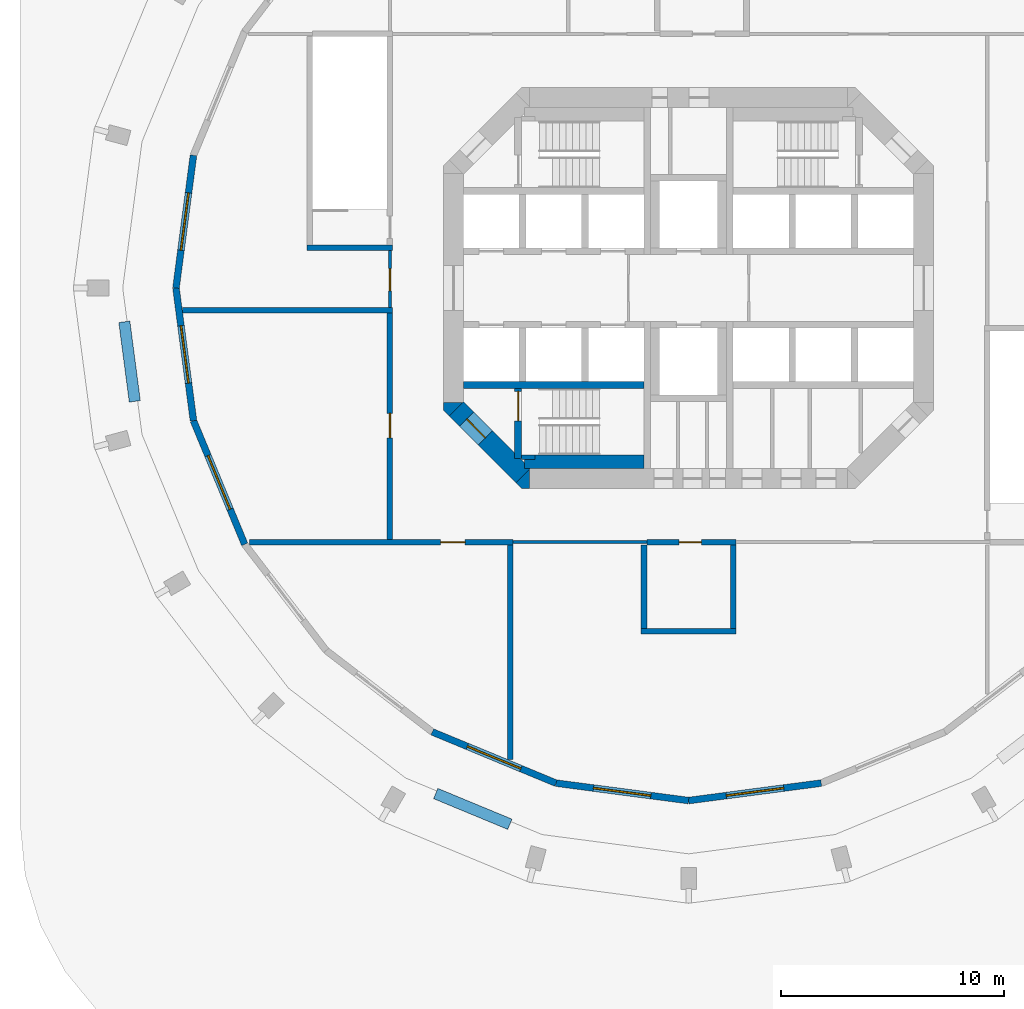
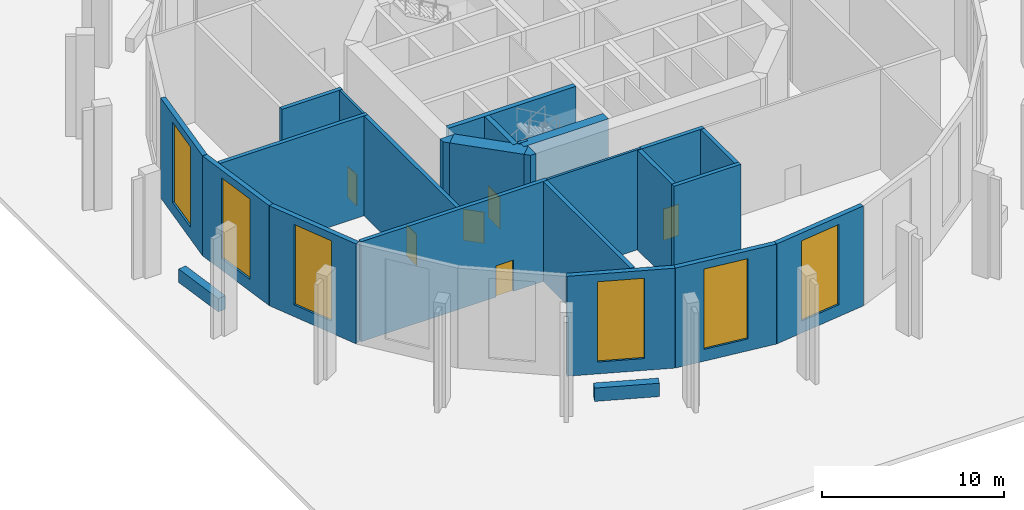
# One storey, part 2 of 7: 26 walls, 6 doors, 6 windows, 12 openings.
"""IFC4 building model written with IfcOpenShell, lengths in metres."""

from ifc_helpers import new_model, si_unit, direction, frame, frame_2d, origin, place, context, subcontext, project, spatial, polyline, rectangle, outline, extrude, material, layer, layer_set, type_object, element, fill, save


model = new_model("IFC4")

# Units and contexts
model_context = context("Model", 3, precision=1e-05, world=origin(), true_north=direction((0.0, 1.0)))
body_context = subcontext(model_context, "Body", "Model", "MODEL_VIEW")
ifc_project = project(units=[si_unit("LENGTHUNIT", "METRE"), si_unit("AREAUNIT", "SQUARE_METRE"), si_unit("VOLUMEUNIT", "CUBIC_METRE"), si_unit("PLANEANGLEUNIT", "RADIAN"), si_unit("MASSUNIT", "GRAM", prefix="KILO")], contexts=[model_context])

# Site, building, storey
site_placement = place(None, origin())
site = spatial("IfcSite", under=ifc_project, at=site_placement, CompositionType="ELEMENT")
building_placement = place(site_placement, origin())
building = spatial("IfcBuilding", under=site, at=building_placement, Name="Torre Triforio", CompositionType="ELEMENT")
storey_placement = place(building_placement, frame((0.0, 0.0, 20.0)))
storey = spatial("IfcBuildingStorey", under=building, at=storey_placement, Name="L03", CompositionType="ELEMENT", Elevation=20.0)

# Wall, opening, door
ifc_material_1 = material(Name="Concrete C60", Category="concrete")
ifc_layer_1 = layer(ifc_material_1, 0.89990234375)
ifc_layer_set_1 = layer_set([ifc_layer_1], Name="Concrete C60")
wall_type_1 = type_object("IfcWallType", Name="Core wall 900 mm C60 EI 120", PredefinedType="SHEAR", material=ifc_layer_set_1)
wall_1_placement = place(storey_placement, frame((-7.418212890625, -8.418212890625, -0.320068359375), z_axis=(0.0, 0.0, 1.0), x_axis=(-0.707106781187, 0.707106781187, 0.0)))
wall_1 = element("IfcWall", 1, at=wall_1_placement, inside=storey, type_object=wall_type_1, Name="Core wall", PredefinedType="SHEAR", context=body_context, shape_type="SweptSolid", body=[
    extrude(rectangle(XDim=4.24267578125, YDim=0.89990234375, at=frame_2d((2.121337890625, 0.0))), origin(), (0.0, 0.0, 1.0), 7.0400390625),
])
opening_1_placement = place(wall_1_placement, frame((2.392578125, 0.0, 0.320068359375)))
opening_1 = element("IfcOpeningElement", 2, at=opening_1_placement, cuts=wall_1, Name="Opening ST3-EXIT", PredefinedType="OPENING", context=body_context, shape_type="SweptSolid", body=[
    extrude(rectangle(XDim=1.199951171875, YDim=2.10009765625, at=frame_2d((0.60009765625, 1.050048828125))), frame((0.0, 0.4599609375, 0.0), z_axis=(0.0, -1.0, 0.0), x_axis=(1.0, 0.0, 0.0)), (0.0, 0.0, 1.0), 0.919921875),
])
ifc_material_2 = material(Name="Hollow metal fire door leaf")
door_type_1 = type_object("IfcDoorType", Name="Stair lobby door 1200 x 2100 EI 60", OperationType="NOTDEFINED", PredefinedType="DOOR", material=ifc_material_2)
door_1_placement = place(opening_1_placement, origin())
door_1 = element("IfcDoor", 3, at=door_1_placement, inside=storey, type_object=door_type_1, Name="Core door ST3-EXIT", OperationType="SINGLE_SWING_RIGHT", OverallHeight=2.10009765625, OverallWidth=1.199951171875, PredefinedType="DOOR", context=body_context, shape_type="SweptSolid", body=[
    extrude(rectangle(XDim=1.199951171875, YDim=2.10009765625, at=frame_2d((0.60009765625, 1.050048828125))), frame((0.0, 0.02490234375, 0.0), z_axis=(0.0, -1.0, 0.0), x_axis=(1.0, 0.0, 0.0)), (0.0, 0.0, 1.0), 0.050048828125),
])
fill(opening_1, door_1)

# Walls
wall_2_placement = place(storey_placement, frame((0.0, 0.0, -0.320068359375)))
element("IfcWall", 4, at=wall_2_placement, inside=storey, type_object=wall_type_1, Name="Core wall", PredefinedType="SHEAR", context=body_context, shape_type="SweptSolid", body=[
    extrude(outline(polyline([(-7.472900390625, -9.0), (-7.736328125, -8.736328125), (-7.1298828125, -8.1298828125), (-7.1298828125, -9.0), (-7.472900390625, -9.0)])), origin(), (0.0, 0.0, 1.0), 7.0400390625),
])
wall_3_placement = place(storey_placement, frame((0.0, 0.0, -0.320068359375)))
element("IfcWall", 5, at=wall_3_placement, inside=storey, type_object=wall_type_1, Name="Core wall", PredefinedType="SHEAR", context=body_context, shape_type="SweptSolid", body=[
    extrude(outline(polyline([(-11.0, -5.472900390625), (-11.0, -5.1298828125), (-10.1298828125, -5.1298828125), (-10.736328125, -5.736328125), (-11.0, -5.472900390625)])), origin(), (0.0, 0.0, 1.0), 7.0400390625),
])

# Wall, opening, door
ifc_material_3 = material(Name="Plasterboard on metal studs")
ifc_layer_2 = layer(ifc_material_3, 0.14990234375)
ifc_layer_set_2 = layer_set([ifc_layer_2], Name="Plasterboard on metal studs")
wall_type_2 = type_object("IfcWallType", Name="Corridor wall 150 EI 60", PredefinedType="PARTITIONING", material=ifc_layer_set_2)
wall_4_placement = place(storey_placement, frame((-13.39990234375, -0.875, 0.0), z_axis=(0.0, 0.0, 1.0), x_axis=(0.0, 1.0, 0.0)))
wall_4 = element("IfcWall", 6, at=wall_4_placement, inside=storey, type_object=wall_type_2, Name="Corridor wall L03 020", PredefinedType="PARTITIONING", context=body_context, shape_type="SweptSolid", body=[
    extrude(rectangle(XDim=2.550048828125, YDim=0.14990234375, at=frame_2d((1.27490234375, 0.0))), origin(), (0.0, 0.0, 1.0), 6.719970703125),
])
opening_2_placement = place(wall_4_placement, frame((0.75, 0.0, 0.0)))
opening_2 = element("IfcOpeningElement", 7, at=opening_2_placement, cuts=wall_4, Name="Opening P3-04", PredefinedType="OPENING", context=body_context, shape_type="SweptSolid", body=[
    extrude(rectangle(XDim=1.0, YDim=2.10009765625, at=frame_2d((0.5, 1.050048828125))), frame((0.0, 0.0849609375, 0.0), z_axis=(0.0, -1.0, 0.0), x_axis=(1.0, 0.0, 0.0)), (0.0, 0.0, 1.0), 0.169921875),
])
ifc_material_4 = material(Name="Timber door leaf", Category="wood")
door_type_2 = type_object("IfcDoorType", Name="Single door 1000 x 2100 EI 30", OperationType="NOTDEFINED", PredefinedType="DOOR", material=ifc_material_4)
door_2_placement = place(opening_2_placement, origin())
door_2 = element("IfcDoor", 8, at=door_2_placement, inside=storey, type_object=door_type_2, Name="Door P3-04", OperationType="SINGLE_SWING_LEFT", OverallHeight=2.10009765625, OverallWidth=1.0, PredefinedType="DOOR", context=body_context, shape_type="SweptSolid", body=[
    extrude(rectangle(XDim=1.0, YDim=2.10009765625, at=frame_2d((0.5, 1.050048828125))), frame((0.0, 0.02490234375, 0.0), z_axis=(0.0, -1.0, 0.0), x_axis=(1.0, 0.0, 0.0)), (0.0, 0.0, 1.0), 0.050048828125),
])
fill(opening_2, door_2)

# Walls
wall_5_placement = place(storey_placement, frame((-7.875, -11.39990234375, 0.0), z_axis=(0.0, 0.0, 1.0), x_axis=(1.0, 0.0, 0.0)))
element("IfcWall", 9, at=wall_5_placement, inside=storey, type_object=wall_type_2, Name="Corridor wall L03 027", PredefinedType="PARTITIONING", context=body_context, shape_type="SweptSolid", body=[
    extrude(rectangle(XDim=6.0, YDim=0.14990234375, at=frame_2d((3.0, 0.0))), origin(), (0.0, 0.0, 1.0), 6.719970703125),
])
ifc_material_5 = material(Name="Masonry block", Category="masonry")
ifc_layer_3 = layer(ifc_material_5, 0.25)
ifc_layer_set_3 = layer_set([ifc_layer_3], Name="Masonry block")
wall_type_3 = type_object("IfcWallType", Name="Plant room wall 250 EI 120", PredefinedType="PARTITIONING", material=ifc_layer_set_3)
wall_6_placement = place(storey_placement, frame((-22.697021484375, -1.0, 0.0), z_axis=(0.0, 0.0, 1.0), x_axis=(1.0, 0.0, 0.0)))
element("IfcWall", 10, at=wall_6_placement, inside=storey, type_object=wall_type_3, Name="Plant room wall L03 021", PredefinedType="PARTITIONING", context=body_context, shape_type="SweptSolid", body=[
    extrude(rectangle(XDim=9.422119140625, YDim=0.25, at=frame_2d((4.7109375, 0.0))), origin(), (0.0, 0.0, 1.0), 6.719970703125),
])

# Wall, opening, door
wall_7_placement = place(storey_placement, frame((-13.39990234375, -11.27490234375, 0.0), z_axis=(0.0, 0.0, 1.0), x_axis=(0.0, 1.0, 0.0)))
wall_7 = element("IfcWall", 11, at=wall_7_placement, inside=storey, type_object=wall_type_3, Name="Plant room wall L03 025", PredefinedType="PARTITIONING", context=body_context, shape_type="SweptSolid", body=[
    extrude(rectangle(XDim=10.14990234375, YDim=0.25, at=frame_2d((5.074951171875, 0.0))), origin(), (0.0, 0.0, 1.0), 6.719970703125),
])
opening_3_placement = place(wall_7_placement, frame((4.550048828125, 0.0, 0.0)))
opening_3 = element("IfcOpeningElement", 12, at=opening_3_placement, cuts=wall_7, Name="Opening P3-03", PredefinedType="OPENING", context=body_context, shape_type="SweptSolid", body=[
    extrude(rectangle(XDim=1.10009765625, YDim=2.10009765625, at=frame_2d((0.550048828125, 1.050048828125))), frame((0.0, 0.135009765625, 0.0), z_axis=(0.0, -1.0, 0.0), x_axis=(1.0, 0.0, 0.0)), (0.0, 0.0, 1.0), 0.27001953125),
])
door_type_3 = type_object("IfcDoorType", Name="Plant room door 1100 x 2100 EI 60", OperationType="NOTDEFINED", PredefinedType="DOOR", material=ifc_material_2)
door_3_placement = place(opening_3_placement, origin())
door_3 = element("IfcDoor", 13, at=door_3_placement, inside=storey, type_object=door_type_3, Name="Door P3-03", OperationType="SINGLE_SWING_LEFT", OverallHeight=2.10009765625, OverallWidth=1.10009765625, PredefinedType="DOOR", context=body_context, shape_type="SweptSolid", body=[
    extrude(rectangle(XDim=1.10009765625, YDim=2.10009765625, at=frame_2d((0.550048828125, 1.050048828125))), frame((0.0, 0.02490234375, 0.0), z_axis=(0.0, -1.0, 0.0), x_axis=(1.0, 0.0, 0.0)), (0.0, 0.0, 1.0), 0.050048828125),
])
fill(opening_3, door_3)

wall_8_placement = place(storey_placement, frame((-19.70751953125, -11.39990234375, 0.0), z_axis=(0.0, 0.0, 1.0), x_axis=(1.0, 0.0, 0.0)))
wall_8 = element("IfcWall", 14, at=wall_8_placement, inside=storey, type_object=wall_type_3, Name="Plant room wall L03 032", PredefinedType="PARTITIONING", context=body_context, shape_type="SweptSolid", body=[
    extrude(rectangle(XDim=11.83251953125, YDim=0.25, at=frame_2d((5.916259765625, 0.0))), origin(), (0.0, 0.0, 1.0), 6.719970703125),
])
opening_4_placement = place(wall_8_placement, frame((8.58251953125, 0.0, 0.0)))
opening_4 = element("IfcOpeningElement", 15, at=opening_4_placement, cuts=wall_8, Name="Opening P3-11", PredefinedType="OPENING", context=body_context, shape_type="SweptSolid", body=[
    extrude(rectangle(XDim=1.10009765625, YDim=2.10009765625, at=frame_2d((0.550048828125, 1.050048828125))), frame((0.0, 0.135009765625, 0.0), z_axis=(0.0, -1.0, 0.0), x_axis=(1.0, 0.0, 0.0)), (0.0, 0.0, 1.0), 0.27001953125),
])
door_4_placement = place(opening_4_placement, origin())
door_4 = element("IfcDoor", 16, at=door_4_placement, inside=storey, type_object=door_type_3, Name="Door P3-11", OperationType="SINGLE_SWING_LEFT", OverallHeight=2.10009765625, OverallWidth=1.10009765625, PredefinedType="DOOR", context=body_context, shape_type="SweptSolid", body=[
    extrude(rectangle(XDim=1.10009765625, YDim=2.10009765625, at=frame_2d((0.550048828125, 1.050048828125))), frame((0.0, 0.02490234375, 0.0), z_axis=(0.0, -1.0, 0.0), x_axis=(1.0, 0.0, 0.0)), (0.0, 0.0, 1.0), 0.050048828125),
])
fill(opening_4, door_4)

# Walls
wall_9_placement = place(storey_placement, frame((-8.0, -21.15087890625, 0.0), z_axis=(0.0, 0.0, 1.0), x_axis=(0.0, 1.0, 0.0)))
element("IfcWall", 17, at=wall_9_placement, inside=storey, type_object=wall_type_3, Name="Plant room wall L03 033", PredefinedType="PARTITIONING", context=body_context, shape_type="SweptSolid", body=[
    extrude(rectangle(XDim=9.6259765625, YDim=0.25, at=frame_2d((4.81298828125, 0.0))), origin(), (0.0, 0.0, 1.0), 6.719970703125),
])
ifc_material_6 = material(Name="Limestone cladding", Category="masonry")
ifc_layer_4 = layer(ifc_material_6, 0.10009765625)
ifc_material_7 = material(Name="Concrete C40", Category="concrete")
ifc_layer_5 = layer(ifc_material_7, 0.39990234375)
ifc_layer_set_4 = layer_set([ifc_layer_4, ifc_layer_5], Name="Limestone cladding / Concrete C40")
wall_type_4 = type_object("IfcWallType", Name="Planter wall 500", PredefinedType="PARAPET", material=ifc_layer_set_4)
for number, where, z_axis, x_axis, name in (
    (18, (-25.318603515625, -1.517578125, 0.0), (0.0, 0.0, 1.0), (0.130542222659, -0.991442750795, 0.0), "Planter L03 bay 13"),
    (19, (-11.344970703125, -22.685302734375, 0.0), (0.0, 0.0, 1.0), (0.923885420167, -0.382669217998, 0.0), "Planter L03 bay 17"),
):
    element("IfcWall", number, at=place(storey_placement, frame(where, z_axis=z_axis, x_axis=x_axis)), inside=storey, type_object=wall_type_4, Name=name, PredefinedType="PARAPET", context=body_context, shape_type="SweptSolid", body=[
        extrude(rectangle(XDim=3.60009765625, YDim=0.5, at=frame_2d((1.800048828125, 0.0))), origin(), (0.0, 0.0, 1.0), 0.89990234375),
    ])

# Wall, opening, door
ifc_layer_6 = layer(ifc_material_5, 0.25)
ifc_layer_set_5 = layer_set([ifc_layer_6], Name="Masonry block")
wall_type_5 = type_object("IfcWallType", Name="Riser wall 250 EI 120", PredefinedType="PARTITIONING", material=ifc_layer_set_5)
wall_10_placement = place(storey_placement, frame((-1.875, -11.39990234375, 0.0), z_axis=(0.0, 0.0, 1.0), x_axis=(1.0, 0.0, 0.0)))
wall_10 = element("IfcWall", 20, at=wall_10_placement, inside=storey, type_object=wall_type_5, Name="Riser wall L03 024", PredefinedType="PARTITIONING", context=body_context, shape_type="SweptSolid", body=[
    extrude(rectangle(XDim=4.0, YDim=0.25, at=frame_2d((2.0, 0.0))), origin(), (0.0, 0.0, 1.0), 6.719970703125),
])
opening_5_placement = place(wall_10_placement, frame((1.449951171875, 0.0, 0.0)))
opening_5 = element("IfcOpeningElement", 21, at=opening_5_placement, cuts=wall_10, Name="Opening P3-13", PredefinedType="OPENING", context=body_context, shape_type="SweptSolid", body=[
    extrude(rectangle(XDim=1.0, YDim=2.10009765625, at=frame_2d((0.5, 1.050048828125))), frame((0.0, 0.135009765625, 0.0), z_axis=(0.0, -1.0, 0.0), x_axis=(1.0, 0.0, 0.0)), (0.0, 0.0, 1.0), 0.27001953125),
])
door_type_4 = type_object("IfcDoorType", Name="Riser door 1000 x 2100 EI 60", OperationType="NOTDEFINED", PredefinedType="DOOR", material=ifc_material_2)
door_5_placement = place(opening_5_placement, origin())
door_5 = element("IfcDoor", 22, at=door_5_placement, inside=storey, type_object=door_type_4, Name="Door P3-13", OperationType="SINGLE_SWING_LEFT", OverallHeight=2.10009765625, OverallWidth=1.0, PredefinedType="DOOR", context=body_context, shape_type="SweptSolid", body=[
    extrude(rectangle(XDim=1.0, YDim=2.10009765625, at=frame_2d((0.5, 1.050048828125))), frame((0.0, 0.02490234375, 0.0), z_axis=(0.0, -1.0, 0.0), x_axis=(1.0, 0.0, 0.0)), (0.0, 0.0, 1.0), 0.050048828125),
])
fill(opening_5, door_5)

# Walls
wall_11_placement = place(storey_placement, frame((-2.125, -15.39990234375, 0.0), z_axis=(0.0, 0.0, 1.0), x_axis=(1.0, 0.0, 0.0)))
element("IfcWall", 23, at=wall_11_placement, inside=storey, type_object=wall_type_5, Name="Riser wall L03 029", PredefinedType="PARTITIONING", context=body_context, shape_type="SweptSolid", body=[
    extrude(rectangle(XDim=4.25, YDim=0.25, at=frame_2d((2.125, 0.0))), origin(), (0.0, 0.0, 1.0), 6.719970703125),
])
for number, where, z_axis, x_axis, name in (
    (24, (-2.0, -15.27490234375, 0.0), (0.0, 0.0, 1.0), (0.0, 1.0, 0.0), "Riser wall L03 030"),
    (25, (2.0, -15.27490234375, 0.0), (0.0, 0.0, 1.0), (0.0, 1.0, 0.0), "Riser wall L03 031"),
):
    element("IfcWall", number, at=place(storey_placement, frame(where, z_axis=z_axis, x_axis=x_axis)), inside=storey, type_object=wall_type_5, Name=name, PredefinedType="PARTITIONING", context=body_context, shape_type="SweptSolid", body=[
        extrude(rectangle(XDim=3.75, YDim=0.25, at=frame_2d((1.875, 0.0))), origin(), (0.0, 0.0, 1.0), 6.719970703125),
    ])
ifc_layer_7 = layer(ifc_material_1, 0.300048828125)
ifc_layer_set_6 = layer_set([ifc_layer_7], Name="Concrete C60")
wall_type_6 = type_object("IfcWallType", Name="Shaft wall 300 mm C60 EI 120", PredefinedType="SOLIDWALL", material=ifc_layer_set_6)
wall_12_placement = place(storey_placement, frame((-10.10009765625, -4.35009765625, 0.0), z_axis=(0.0, 0.0, 1.0), x_axis=(1.0, 0.0, 0.0)))
element("IfcWall", 26, at=wall_12_placement, inside=storey, type_object=wall_type_6, Name="Shaft wall", PredefinedType="SOLIDWALL", context=body_context, shape_type="SweptSolid", body=[
    extrude(rectangle(XDim=8.10009765625, YDim=0.300048828125, at=frame_2d((4.050048828125, 0.0))), origin(), (0.0, 0.0, 1.0), 6.719970703125),
])
ifc_layer_8 = layer(ifc_material_7, 0.25)
ifc_layer_set_7 = layer_set([ifc_layer_8], Name="Concrete C40")
wall_type_7 = type_object("IfcWallType", Name="Stair enclosure wall 250 EI 120", PredefinedType="STANDARD", material=ifc_layer_set_7)
wall_13_placement = place(storey_placement, frame((-17.125, 1.800048828125, 0.0), z_axis=(0.0, 0.0, 1.0), x_axis=(1.0, 0.0, 0.0)))
element("IfcWall", 27, at=wall_13_placement, inside=storey, type_object=wall_type_7, Name="Stair enclosure wall L03 018", PredefinedType="STANDARD", context=body_context, shape_type="SweptSolid", body=[
    extrude(rectangle(XDim=3.85009765625, YDim=0.25, at=frame_2d((1.925048828125, 0.0))), origin(), (0.0, 0.0, 1.0), 6.719970703125),
])
ifc_layer_9 = layer(ifc_material_1, 0.199951171875)
ifc_layer_set_8 = layer_set([ifc_layer_9], Name="Concrete C60")
wall_type_8 = type_object("IfcWallType", Name="Stair wall 200 mm C60 EI 120", PredefinedType="SHEAR", material=ifc_layer_set_8)
wall_14_placement = place(storey_placement, frame((-7.5, -7.60009765625, 0.0), z_axis=(0.0, 0.0, 1.0), x_axis=(1.0, 0.0, 0.0)))
element("IfcWall", 28, at=wall_14_placement, inside=storey, type_object=wall_type_8, Name="Stair wall", PredefinedType="SHEAR", context=body_context, shape_type="SweptSolid", body=[
    extrude(rectangle(XDim=0.60009765625, YDim=0.199951171875, at=frame_2d((0.300048828125, 0.0))), origin(), (0.0, 0.0, 1.0), 6.719970703125),
])

# Wall, opening, door
ifc_layer_10 = layer(ifc_material_1, 0.300048828125)
ifc_layer_set_9 = layer_set([ifc_layer_10], Name="Concrete C60")
wall_type_9 = type_object("IfcWallType", Name="Stair wall 300 mm C60 EI 120", PredefinedType="SHEAR", material=ifc_layer_set_9)
wall_15_placement = place(storey_placement, frame((-7.64990234375, -7.639892578125, 0.0), z_axis=(0.0, 0.0, 1.0), x_axis=(0.0, 1.0, 0.0)))
wall_15 = element("IfcWall", 29, at=wall_15_placement, inside=storey, type_object=wall_type_9, Name="Stair wall", PredefinedType="SHEAR", context=body_context, shape_type="SweptSolid", body=[
    extrude(rectangle(XDim=3.139892578125, YDim=0.300048828125, at=frame_2d((1.56982421875, 0.0))), origin(), (0.0, 0.0, 1.0), 6.719970703125),
])
opening_6_placement = place(wall_15_placement, frame((1.679931640625, 0.0, 0.0)))
opening_6 = element("IfcOpeningElement", 30, at=opening_6_placement, cuts=wall_15, Name="Opening ST3-STA", PredefinedType="OPENING", context=body_context, shape_type="SweptSolid", body=[
    extrude(rectangle(XDim=1.320068359375, YDim=2.10009765625, at=frame_2d((0.66015625, 1.050048828125))), frame((0.0, 0.159912109375, 0.0), z_axis=(0.0, -1.0, 0.0), x_axis=(1.0, 0.0, 0.0)), (0.0, 0.0, 1.0), 0.320068359375),
])
door_type_5 = type_object("IfcDoorType", Name="Stair door 1320 x 2100 EI 90", OperationType="DOUBLE_DOOR_SINGLE_SWING", PredefinedType="DOOR", material=ifc_material_2)
door_6_placement = place(opening_6_placement, origin())
door_6 = element("IfcDoor", 31, at=door_6_placement, inside=storey, type_object=door_type_5, Name="Core door ST3-ST", OperationType="DOUBLE_DOOR_SINGLE_SWING", OverallHeight=2.10009765625, OverallWidth=1.320068359375, PredefinedType="DOOR", context=body_context, shape_type="SweptSolid", body=[
    extrude(rectangle(XDim=1.320068359375, YDim=2.10009765625, at=frame_2d((0.66015625, 1.050048828125))), frame((0.0, 0.02490234375, 0.0), z_axis=(0.0, -1.0, 0.0), x_axis=(1.0, 0.0, 0.0)), (0.0, 0.0, 1.0), 0.050048828125),
])
fill(opening_6, door_6)

# Wall
ifc_layer_11 = layer(ifc_material_1, 0.60009765625)
ifc_layer_set_10 = layer_set([ifc_layer_11], Name="Concrete C60")
wall_type_10 = type_object("IfcWallType", Name="Stair wall 600 mm C60 EI 120", PredefinedType="SHEAR", material=ifc_layer_set_10)
wall_16_placement = place(storey_placement, frame((-7.3701171875, -7.800048828125, 0.0), z_axis=(0.0, 0.0, 1.0), x_axis=(1.0, 0.0, 0.0)))
element("IfcWall", 32, at=wall_16_placement, inside=storey, type_object=wall_type_10, Name="Stair wall", PredefinedType="SHEAR", context=body_context, shape_type="SweptSolid", body=[
    extrude(rectangle(XDim=5.3701171875, YDim=0.60009765625, at=frame_2d((2.68505859375, 0.0))), origin(), (0.0, 0.0, 1.0), 6.719970703125),
])

# Wall, opening, window
ifc_layer_12 = layer(ifc_material_6, 0.10009765625)
ifc_layer_13 = layer(ifc_material_7, 0.199951171875)
ifc_layer_set_11 = layer_set([ifc_layer_12, ifc_layer_13], Name="Limestone cladding / Concrete C40")
wall_type_11 = type_object("IfcWallType", Name="Stone-faced composite wall 300", PredefinedType="STANDARD", material=ifc_layer_set_11)
wall_17_placement = place(storey_placement, frame((-22.21630859375, 5.952880859375, 0.0), z_axis=(0.0, 0.0, 1.0), x_axis=(-0.130522880875, -0.991445297315, 0.0)))
wall_17 = element("IfcWall", 33, at=wall_17_placement, inside=storey, type_object=wall_type_11, Name="External wall L03 bay 12", PredefinedType="STANDARD", context=body_context, shape_type="SweptSolid", body=[
    extrude(rectangle(XDim=6.004150390625, YDim=0.300048828125, at=frame_2d((3.001953125, 0.0))), origin(), (0.0, 0.0, 1.0), 6.719970703125),
])
opening_7_placement = place(wall_17_placement, frame((1.7021484375, 0.0, 0.800048828125)))
opening_7 = element("IfcOpeningElement", 34, at=opening_7_placement, cuts=wall_17, Name="Opening P3-W12", PredefinedType="OPENING", context=body_context, shape_type="SweptSolid", body=[
    extrude(rectangle(XDim=2.60009765625, YDim=5.39990234375, at=frame_2d((1.300048828125, 2.699951171875))), frame((0.0, 0.159912109375, 0.0), z_axis=(0.0, -1.0, 0.0), x_axis=(1.0, 0.0, 0.0)), (0.0, 0.0, 1.0), 0.320068359375),
])
ifc_material_8 = material(Name="Aluminium frame with clear double glazing", Category="aluminium")
window_type = type_object("IfcWindowType", Name="Punched window 2600 x 5400", PartitioningType="DOUBLE_PANEL_VERTICAL", PredefinedType="WINDOW", material=ifc_material_8)
window_1_placement = place(opening_7_placement, origin())
window_1 = element("IfcWindow", 35, at=window_1_placement, inside=storey, type_object=window_type, Name="Window EWN1 L03 bay 12", OverallHeight=5.39990234375, OverallWidth=2.60009765625, PartitioningType="SINGLE_PANEL", PredefinedType="WINDOW", context=body_context, shape_type="SweptSolid", body=[
    extrude(rectangle(XDim=2.60009765625, YDim=5.39990234375, at=frame_2d((1.300048828125, 2.699951171875))), frame((0.0, 0.030029296875, 0.0), z_axis=(0.0, -1.0, 0.0), x_axis=(1.0, 0.0, 0.0)), (0.0, 0.0, 1.0), 0.06005859375),
])
fill(opening_7, window_1)

wall_18_placement = place(storey_placement, frame((-23.0, 0.0, 0.0), z_axis=(0.0, 0.0, 1.0), x_axis=(0.130522880875, -0.991445297315, 0.0)))
wall_18 = element("IfcWall", 36, at=wall_18_placement, inside=storey, type_object=wall_type_11, Name="External wall L03 bay 13", PredefinedType="STANDARD", context=body_context, shape_type="SweptSolid", body=[
    extrude(rectangle(XDim=6.004150390625, YDim=0.300048828125, at=frame_2d((3.001953125, 0.0))), origin(), (0.0, 0.0, 1.0), 6.719970703125),
])
opening_8_placement = place(wall_18_placement, frame((1.7021484375, 0.0, 0.800048828125)))
opening_8 = element("IfcOpeningElement", 37, at=opening_8_placement, cuts=wall_18, Name="Opening P3-W13", PredefinedType="OPENING", context=body_context, shape_type="SweptSolid", body=[
    extrude(rectangle(XDim=2.60009765625, YDim=5.39990234375, at=frame_2d((1.300048828125, 2.699951171875))), frame((0.0, 0.159912109375, 0.0), z_axis=(0.0, -1.0, 0.0), x_axis=(1.0, 0.0, 0.0)), (0.0, 0.0, 1.0), 0.320068359375),
])
window_2_placement = place(opening_8_placement, origin())
window_2 = element("IfcWindow", 38, at=window_2_placement, inside=storey, type_object=window_type, Name="Window EWN1 L03 bay 13", OverallHeight=5.39990234375, OverallWidth=2.60009765625, PartitioningType="SINGLE_PANEL", PredefinedType="WINDOW", context=body_context, shape_type="SweptSolid", body=[
    extrude(rectangle(XDim=2.60009765625, YDim=5.39990234375, at=frame_2d((1.300048828125, 2.699951171875))), frame((0.0, 0.030029296875, 0.0), z_axis=(0.0, -1.0, 0.0), x_axis=(1.0, 0.0, 0.0)), (0.0, 0.0, 1.0), 0.06005859375),
])
fill(opening_8, window_2)

wall_19_placement = place(storey_placement, frame((-22.21630859375, -5.952880859375, 0.0), z_axis=(0.0, 0.0, 1.0), x_axis=(0.382671411433, -0.923884511653, 0.0)))
wall_19 = element("IfcWall", 39, at=wall_19_placement, inside=storey, type_object=wall_type_11, Name="External wall L03 bay 14", PredefinedType="STANDARD", context=body_context, shape_type="SweptSolid", body=[
    extrude(rectangle(XDim=6.004150390625, YDim=0.300048828125, at=frame_2d((3.001953125, 0.0))), origin(), (0.0, 0.0, 1.0), 6.719970703125),
])
opening_9_placement = place(wall_19_placement, frame((1.7021484375, 0.0, 0.800048828125)))
opening_9 = element("IfcOpeningElement", 40, at=opening_9_placement, cuts=wall_19, Name="Opening P3-W14", PredefinedType="OPENING", context=body_context, shape_type="SweptSolid", body=[
    extrude(rectangle(XDim=2.60009765625, YDim=5.39990234375, at=frame_2d((1.300048828125, 2.699951171875))), frame((0.0, 0.159912109375, 0.0), z_axis=(0.0, -1.0, 0.0), x_axis=(1.0, 0.0, 0.0)), (0.0, 0.0, 1.0), 0.320068359375),
])
window_3_placement = place(opening_9_placement, origin())
window_3 = element("IfcWindow", 41, at=window_3_placement, inside=storey, type_object=window_type, Name="Window EWN1 L03 bay 14", OverallHeight=5.39990234375, OverallWidth=2.60009765625, PartitioningType="SINGLE_PANEL", PredefinedType="WINDOW", context=body_context, shape_type="SweptSolid", body=[
    extrude(rectangle(XDim=2.60009765625, YDim=5.39990234375, at=frame_2d((1.300048828125, 2.699951171875))), frame((0.0, 0.030029296875, 0.0), z_axis=(0.0, -1.0, 0.0), x_axis=(1.0, 0.0, 0.0)), (0.0, 0.0, 1.0), 0.06005859375),
])
fill(opening_9, window_3)

wall_20_placement = place(storey_placement, frame((-11.5, -19.918701171875, 0.0), z_axis=(0.0, 0.0, 1.0), x_axis=(0.923884511653, -0.382671411433, 0.0)))
wall_20 = element("IfcWall", 42, at=wall_20_placement, inside=storey, type_object=wall_type_11, Name="External wall L03 bay 17", PredefinedType="STANDARD", context=body_context, shape_type="SweptSolid", body=[
    extrude(rectangle(XDim=6.004150390625, YDim=0.300048828125, at=frame_2d((3.001953125, 0.0))), origin(), (0.0, 0.0, 1.0), 6.719970703125),
])
opening_10_placement = place(wall_20_placement, frame((1.7021484375, 0.0, 0.800048828125)))
opening_10 = element("IfcOpeningElement", 43, at=opening_10_placement, cuts=wall_20, Name="Opening P3-W17", PredefinedType="OPENING", context=body_context, shape_type="SweptSolid", body=[
    extrude(rectangle(XDim=2.60009765625, YDim=5.39990234375, at=frame_2d((1.300048828125, 2.699951171875))), frame((0.0, 0.159912109375, 0.0), z_axis=(0.0, -1.0, 0.0), x_axis=(1.0, 0.0, 0.0)), (0.0, 0.0, 1.0), 0.320068359375),
])
window_4_placement = place(opening_10_placement, origin())
window_4 = element("IfcWindow", 44, at=window_4_placement, inside=storey, type_object=window_type, Name="Window EWN1 L03 bay 17", OverallHeight=5.39990234375, OverallWidth=2.60009765625, PartitioningType="SINGLE_PANEL", PredefinedType="WINDOW", context=body_context, shape_type="SweptSolid", body=[
    extrude(rectangle(XDim=2.60009765625, YDim=5.39990234375, at=frame_2d((1.300048828125, 2.699951171875))), frame((0.0, 0.030029296875, 0.0), z_axis=(0.0, -1.0, 0.0), x_axis=(1.0, 0.0, 0.0)), (0.0, 0.0, 1.0), 0.06005859375),
])
fill(opening_10, window_4)

wall_21_placement = place(storey_placement, frame((-5.952880859375, -22.21630859375, 0.0), z_axis=(0.0, 0.0, 1.0), x_axis=(0.991445297315, -0.130522880875, 0.0)))
wall_21 = element("IfcWall", 45, at=wall_21_placement, inside=storey, type_object=wall_type_11, Name="External wall L03 bay 18", PredefinedType="STANDARD", context=body_context, shape_type="SweptSolid", body=[
    extrude(rectangle(XDim=6.004150390625, YDim=0.300048828125, at=frame_2d((3.001953125, 0.0))), origin(), (0.0, 0.0, 1.0), 6.719970703125),
])
opening_11_placement = place(wall_21_placement, frame((1.7021484375, 0.0, 0.800048828125)))
opening_11 = element("IfcOpeningElement", 46, at=opening_11_placement, cuts=wall_21, Name="Opening P3-W18", PredefinedType="OPENING", context=body_context, shape_type="SweptSolid", body=[
    extrude(rectangle(XDim=2.60009765625, YDim=5.39990234375, at=frame_2d((1.300048828125, 2.699951171875))), frame((0.0, 0.159912109375, 0.0), z_axis=(0.0, -1.0, 0.0), x_axis=(1.0, 0.0, 0.0)), (0.0, 0.0, 1.0), 0.320068359375),
])
window_5_placement = place(opening_11_placement, origin())
window_5 = element("IfcWindow", 47, at=window_5_placement, inside=storey, type_object=window_type, Name="Window EWN1 L03 bay 18", OverallHeight=5.39990234375, OverallWidth=2.60009765625, PartitioningType="SINGLE_PANEL", PredefinedType="WINDOW", context=body_context, shape_type="SweptSolid", body=[
    extrude(rectangle(XDim=2.60009765625, YDim=5.39990234375, at=frame_2d((1.300048828125, 2.699951171875))), frame((0.0, 0.030029296875, 0.0), z_axis=(0.0, -1.0, 0.0), x_axis=(1.0, 0.0, 0.0)), (0.0, 0.0, 1.0), 0.06005859375),
])
fill(opening_11, window_5)

wall_22_placement = place(storey_placement, frame((0.0, -23.0, 0.0), z_axis=(0.0, 0.0, 1.0), x_axis=(0.991445297315, 0.130522880875, 0.0)))
wall_22 = element("IfcWall", 48, at=wall_22_placement, inside=storey, type_object=wall_type_11, Name="External wall L03 bay 19", PredefinedType="STANDARD", context=body_context, shape_type="SweptSolid", body=[
    extrude(rectangle(XDim=6.004150390625, YDim=0.300048828125, at=frame_2d((3.001953125, 0.0))), origin(), (0.0, 0.0, 1.0), 6.719970703125),
])
opening_12_placement = place(wall_22_placement, frame((1.7021484375, 0.0, 0.800048828125)))
opening_12 = element("IfcOpeningElement", 49, at=opening_12_placement, cuts=wall_22, Name="Opening P3-W19", PredefinedType="OPENING", context=body_context, shape_type="SweptSolid", body=[
    extrude(rectangle(XDim=2.60009765625, YDim=5.39990234375, at=frame_2d((1.300048828125, 2.699951171875))), frame((0.0, 0.159912109375, 0.0), z_axis=(0.0, -1.0, 0.0), x_axis=(1.0, 0.0, 0.0)), (0.0, 0.0, 1.0), 0.320068359375),
])
window_6_placement = place(opening_12_placement, origin())
window_6 = element("IfcWindow", 50, at=window_6_placement, inside=storey, type_object=window_type, Name="Window EWN1 L03 bay 19", OverallHeight=5.39990234375, OverallWidth=2.60009765625, PartitioningType="SINGLE_PANEL", PredefinedType="WINDOW", context=body_context, shape_type="SweptSolid", body=[
    extrude(rectangle(XDim=2.60009765625, YDim=5.39990234375, at=frame_2d((1.300048828125, 2.699951171875))), frame((0.0, 0.030029296875, 0.0), z_axis=(0.0, -1.0, 0.0), x_axis=(1.0, 0.0, 0.0)), (0.0, 0.0, 1.0), 0.06005859375),
])
fill(opening_12, window_6)

save(model, "model.ifc")
